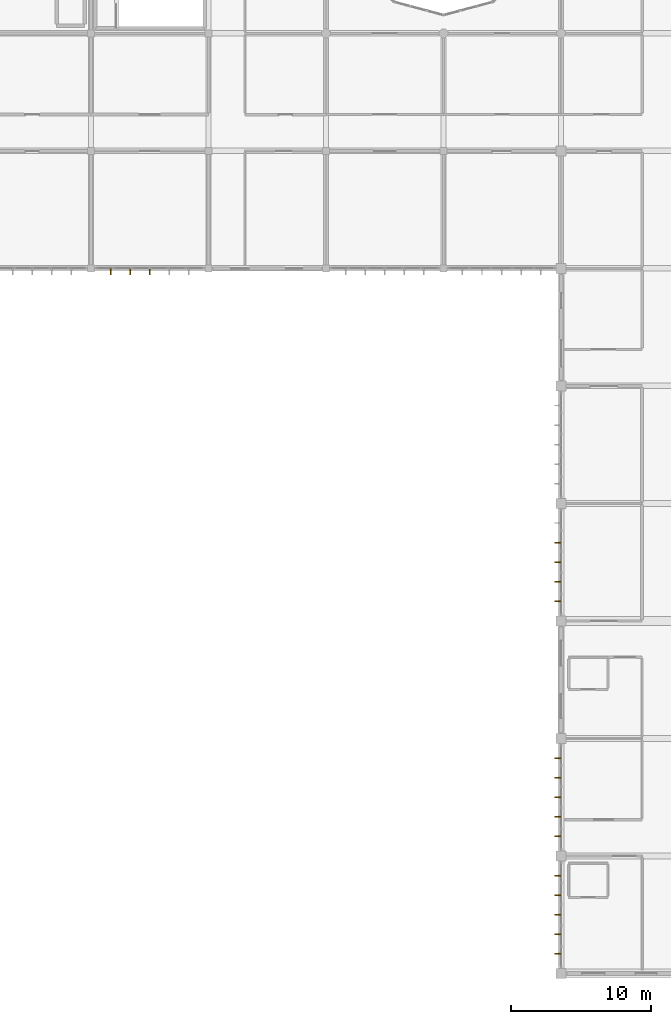
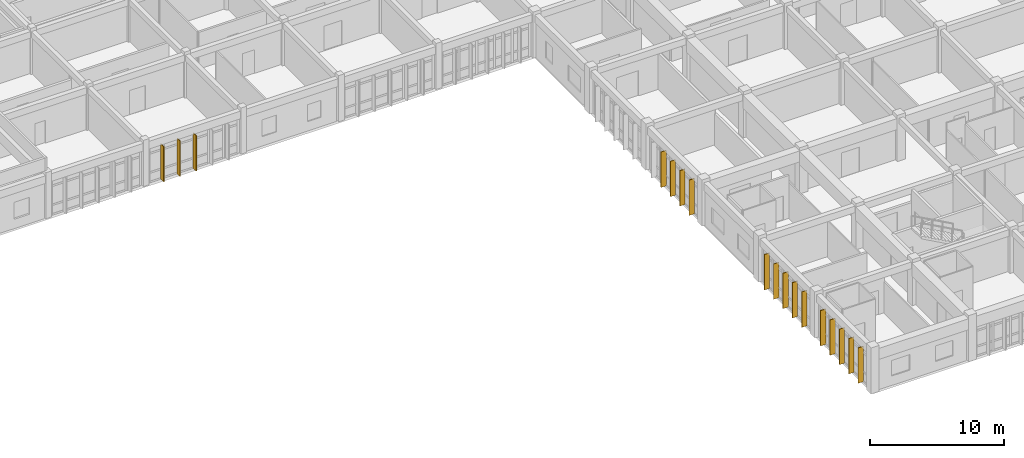
# One storey, part 103 of 119: 17 shading devices.
"""IFC4 building model written with IfcOpenShell, lengths in metres."""

from ifc_helpers import new_model, si_unit, direction, frame, origin, origin_2d, place, context, subcontext, project, spatial, rectangle, extrude, material, material_profile, profile_set, type_object, element, save


model = new_model("IFC4")

# Units and contexts
model_context = context("Model", 3, precision=1e-05, world=origin(), true_north=direction((0.0, 1.0)))
body_context = subcontext(model_context, "Body", "Model", "MODEL_VIEW")
ifc_project = project(units=[si_unit("LENGTHUNIT", "METRE"), si_unit("AREAUNIT", "SQUARE_METRE"), si_unit("VOLUMEUNIT", "CUBIC_METRE"), si_unit("PLANEANGLEUNIT", "RADIAN"), si_unit("MASSUNIT", "GRAM", prefix="KILO")], contexts=[model_context])

# Site, building, storey
site_placement = place(None, origin())
site = spatial("IfcSite", under=ifc_project, at=site_placement, CompositionType="ELEMENT")
building_placement = place(site_placement, origin())
building = spatial("IfcBuilding", under=site, at=building_placement, Name="Bramfleet General Hospital", CompositionType="ELEMENT")
storey_placement = place(building_placement, frame((0.0, 0.0, 14.39990234375)))
storey = spatial("IfcBuildingStorey", under=building, at=storey_placement, Name="L03", CompositionType="ELEMENT", Elevation=14.39990234375)

# Shading devices
ifc_material = material(Name="Treated European larch timber", Category="wood")
ifc_material_profile = material_profile(ifc_material, rectangle(XDim=0.06494140625, YDim=0.449951171875, at=origin_2d()), Name="LARCH FIN 450x65")
ifc_profile_set = profile_set([ifc_material_profile], Name="Treated European larch timber")
shading_device_type = type_object("IfcShadingDeviceType", Name="SHD-FIN-450", PredefinedType="USERDEFINED", material=ifc_profile_set)
for number, where, z_axis, x_axis, name in (
    (1, (92.159912109375, 1.39990234375, -0.02001953125), (0.0, 0.0, 1.0), (0.0, 1.0, 0.0), "L03 Larch Timber Shading Fin 657"),
    (2, (92.159912109375, 2.800048828125, -0.02001953125), (0.0, 0.0, 1.0), (0.0, 1.0, 0.0), "L03 Larch Timber Shading Fin 658"),
    (3, (92.159912109375, 4.199951171875, -0.02001953125), (0.0, 0.0, 1.0), (0.0, 1.0, 0.0), "L03 Larch Timber Shading Fin 659"),
    (4, (92.159912109375, 5.60009765625, -0.02001953125), (0.0, 0.0, 1.0), (0.0, 1.0, 0.0), "L03 Larch Timber Shading Fin 660"),
    (5, (92.159912109375, 7.0, -0.02001953125), (0.0, 0.0, 1.0), (0.0, 1.0, 0.0), "L03 Larch Timber Shading Fin 661"),
    (6, (92.159912109375, 9.800048828125, -0.02001953125), (0.0, 0.0, 1.0), (0.0, 1.0, 0.0), "L03 Larch Timber Shading Fin 662"),
    (7, (92.159912109375, 11.199951171875, -0.02001953125), (0.0, 0.0, 1.0), (0.0, 1.0, 0.0), "L03 Larch Timber Shading Fin 663"),
    (8, (92.159912109375, 12.60009765625, -0.02001953125), (0.0, 0.0, 1.0), (0.0, 1.0, 0.0), "L03 Larch Timber Shading Fin 664"),
    (9, (92.159912109375, 14.0, -0.02001953125), (0.0, 0.0, 1.0), (0.0, 1.0, 0.0), "L03 Larch Timber Shading Fin 665"),
    (10, (92.159912109375, 15.39990234375, -0.02001953125), (0.0, 0.0, 1.0), (0.0, 1.0, 0.0), "L03 Larch Timber Shading Fin 666"),
    (11, (92.159912109375, 26.60009765625, -0.02001953125), (0.0, 0.0, 1.0), (0.0, 1.0, 0.0), "L03 Larch Timber Shading Fin 667"),
    (12, (92.159912109375, 28.0, -0.02001953125), (0.0, 0.0, 1.0), (0.0, 1.0, 0.0), "L03 Larch Timber Shading Fin 668"),
    (13, (92.159912109375, 29.39990234375, -0.02001953125), (0.0, 0.0, 1.0), (0.0, 1.0, 0.0), "L03 Larch Timber Shading Fin 669"),
    (14, (92.159912109375, 30.800048828125, -0.02001953125), (0.0, 0.0, 1.0), (0.0, 1.0, 0.0), "L03 Larch Timber Shading Fin 670"),
    (15, (63.0, 50.159912109375, -0.02001953125), (0.0, 0.0, 1.0), (-1.0, 0.0, 0.0), "L03 Larch Timber Shading Fin 689"),
    (16, (61.60009765625, 50.159912109375, -0.02001953125), (0.0, 0.0, 1.0), (-1.0, 0.0, 0.0), "L03 Larch Timber Shading Fin 690"),
    (17, (60.199951171875, 50.159912109375, -0.02001953125), (0.0, 0.0, 1.0), (-1.0, 0.0, 0.0), "L03 Larch Timber Shading Fin 691"),
):
    element("IfcShadingDevice", number, at=place(storey_placement, frame(where, z_axis=z_axis, x_axis=x_axis)), inside=storey, type_object=shading_device_type, Name=name, ObjectType="Fin", PredefinedType="USERDEFINED", context=body_context, shape_type="SweptSolid", body=[
        extrude(rectangle(XDim=0.06494140625, YDim=0.449951171875, at=origin_2d()), origin(), (0.0, 0.0, 1.0), 3.22021484375),
    ])

save(model, "model.ifc")
